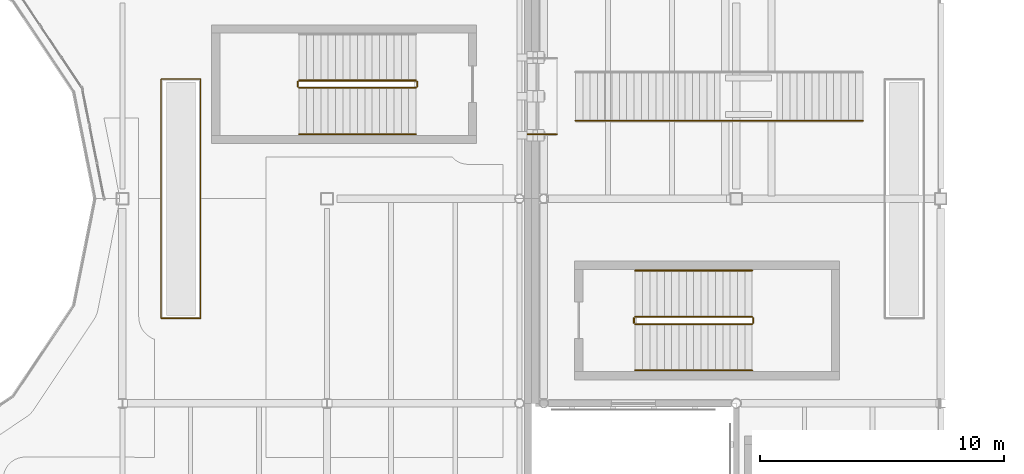
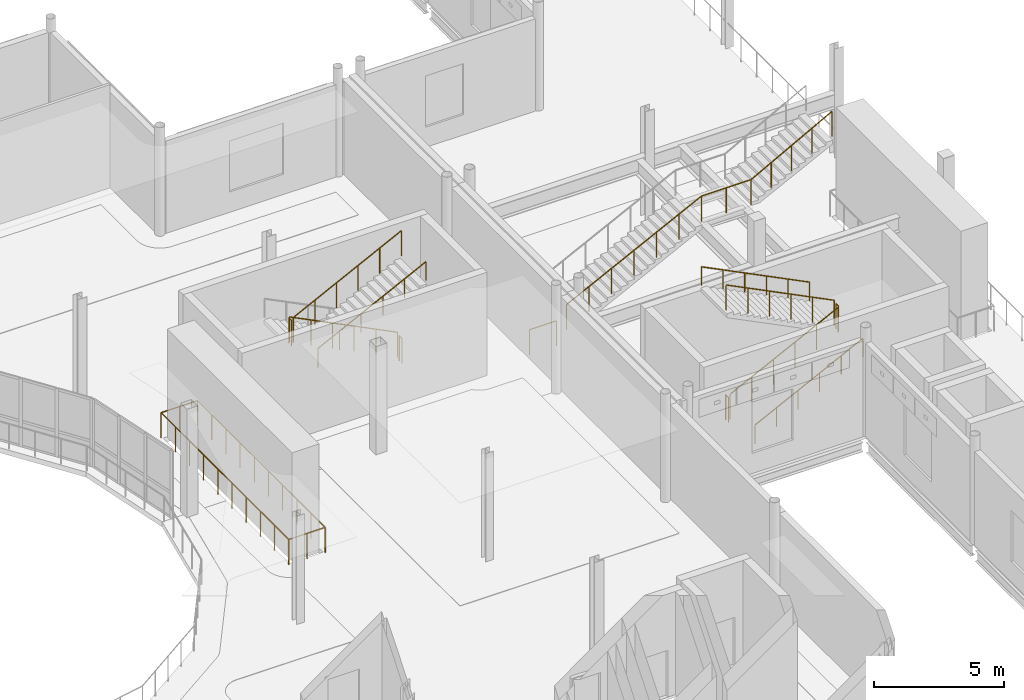
# One storey, part 89 of 104: 14 railings.
"""IFC4 building model written with IfcOpenShell, lengths in metres."""

import ifcopenshell
import ifcopenshell.guid

model = None  # the IFC model being written
_history = None  # IfcOwnerHistory: only IFC2X3 demands one
_inside = {}  # id of a spatial element -> (the spatial element, [elements in it])
_under = {}  # id of a project, library or spatial element -> (it, [spatial elements below it])
_declared = {}  # id of a project -> (the project, [libraries it declares])
_typed = {}  # id of a type object -> (the type object, [elements of that type])
_made_of = {}  # id of a material, layer set ... -> (it, [elements and type objects made of it])


def new_model(schema):
    """Start an empty IFC model of exactly this schema.

    Asked for "IFC4X3", IfcOpenShell would pick the latest addendum, in which some entities
    have other attributes; the version numbers below select the first issue.
    IFC2X3 requires an IfcOwnerHistory on every rooted entity: one is made here for all.
    """
    global model, _history
    if schema == "IFC4X3":
        model = ifcopenshell.file(schema_version=(4, 3, 0, 0))
    else:
        model = ifcopenshell.file(schema=schema)
    _inside.clear()
    _under.clear()
    _declared.clear()
    _typed.clear()
    _made_of.clear()
    _history = None
    if model.schema == "IFC2X3":
        org = make("IfcOrganization", Name="unknown")
        user = make(
            "IfcPersonAndOrganization",
            ThePerson=make("IfcPerson", FamilyName="unknown"),
            TheOrganization=org,
        )
        app = make(
            "IfcApplication",
            ApplicationDeveloper=org,
            Version="unknown",
            ApplicationFullName="unknown",
            ApplicationIdentifier="unknown",
        )
        _history = make(
            "IfcOwnerHistory",
            OwningUser=user,
            OwningApplication=app,
            ChangeAction="ADDED",
            CreationDate=0,
        )
    return model


def make(cls, **values):
    """One entity of the class cls with the attributes given. An attribute that is None is left unset."""
    return model.create_entity(
        cls, **{name: value for name, value in values.items() if value is not None}
    )


def rooted(cls, **values):
    """An entity with a GlobalId (a new one), such as an element, a storey or a relation."""
    return make(cls, GlobalId=ifcopenshell.guid.new(), OwnerHistory=_history, **values)


def si_unit(unit_type, name, prefix=None):
    """IfcSIUnit, for example si_unit("LENGTHUNIT", "METRE", prefix="MILLI")."""
    return make("IfcSIUnit", UnitType=unit_type, Prefix=prefix, Name=name)


def assignment(units):
    """IfcUnitAssignment: the units of a project."""
    return None if units is None else make("IfcUnitAssignment", Units=units)


def point(xyz):
    """IfcCartesianPoint."""
    return None if xyz is None else make("IfcCartesianPoint", Coordinates=xyz)


def direction(xyz):
    """IfcDirection."""
    return None if xyz is None else make("IfcDirection", DirectionRatios=xyz)


def frame(location, z_axis=None, x_axis=None):
    """IfcAxis2Placement3D, a coordinate frame: its origin and axes. An axis left out is left unset."""
    return make(
        "IfcAxis2Placement3D",
        Location=point(location),
        Axis=direction(z_axis),
        RefDirection=direction(x_axis),
    )


def frame_2d(location, x_axis=None):
    """IfcAxis2Placement2D, a coordinate frame in the plane: its origin and x axis."""
    return make(
        "IfcAxis2Placement2D", Location=point(location), RefDirection=direction(x_axis)
    )


def origin():
    """The frame at (0, 0, 0) with its axes left unset."""
    return frame((0.0, 0.0, 0.0))


def origin_2d():
    """The frame at (0, 0) in the plane with its x axis left unset."""
    return frame_2d((0.0, 0.0))


def place(relative_to, where):
    """IfcLocalPlacement: puts the frame where relative to a parent placement (None: the world)."""
    return make(
        "IfcLocalPlacement", PlacementRelTo=relative_to, RelativePlacement=where
    )


def context(
    kind, dimensions, precision=None, world=None, true_north=None, identifier=None
):
    """IfcGeometricRepresentationContext, for example the 3D "Model" context."""
    return make(
        "IfcGeometricRepresentationContext",
        ContextIdentifier=identifier,
        ContextType=kind,
        CoordinateSpaceDimension=dimensions,
        Precision=precision,
        WorldCoordinateSystem=world,
        TrueNorth=true_north,
    )


def subcontext(parent, identifier, kind, view, scale=None):
    """IfcGeometricRepresentationSubContext, for example "Body" below "Model"."""
    return make(
        "IfcGeometricRepresentationSubContext",
        ContextIdentifier=identifier,
        ContextType=kind,
        ParentContext=parent,
        TargetScale=scale,
        TargetView=view,
    )


def project(units=None, contexts=None):
    """IfcProject with its units and contexts."""
    return rooted(
        "IfcProject",
        Name="project",
        RepresentationContexts=contexts,
        UnitsInContext=assignment(units),
    )


def spatial(cls, under=None, at=None, **own):
    """A site, building, storey or space (cls), placed at a placement, below another one or the project."""
    s = rooted(cls, ObjectPlacement=at, **own)
    if under is not None:
        _under.setdefault(under.id(), (under, []))[1].append(s)
    return s


def profile(cls, at=None, kind="AREA", **sizes):
    """A parametric profile (cls). Its sizes go by their IFC names, for example OverallWidth=200.0."""
    return make(cls, ProfileType=kind, Position=at, **sizes)


def circle(**sizes):
    """IfcCircleProfileDef."""
    return profile("IfcCircleProfileDef", **sizes)


def extrude(swept, where, along, depth):
    """IfcExtrudedAreaSolid: the profile swept, set in the frame where, extruded along a direction by depth."""
    return make(
        "IfcExtrudedAreaSolid",
        SweptArea=swept,
        Position=where,
        ExtrudedDirection=direction(along),
        Depth=depth,
    )


def shape(context_of_items, identifier, shape_type, items):
    """IfcShapeRepresentation: the items that make up one representation, for example the "Body"."""
    return make(
        "IfcShapeRepresentation",
        ContextOfItems=context_of_items,
        RepresentationIdentifier=identifier,
        RepresentationType=shape_type,
        Items=items,
    )


def material(Name=None, Category=None):
    """IfcMaterial."""
    return make("IfcMaterial", Name=Name, Category=Category)


def made_of(thing, what):
    """Note that an element or type object is made of a material, layer set ...; save() writes the relation."""
    if what is not None:
        _made_of.setdefault(what.id(), (what, []))[1].append(thing)
    return thing


def type_object(cls, material=None, **own):
    """A type object (cls), such as IfcWallType, which elements share."""
    return made_of(rooted(cls, **own), material)


def element(
    cls,
    number,
    at=None,
    inside=None,
    cuts=None,
    type_object=None,
    material=None,
    context=None,
    identifier="Body",
    shape_type=None,
    held_by="IfcProductDefinitionShape",
    body=None,
    shapes=None,
    **own,
):
    """One element of the class cls, such as IfcWall. Its Tag is "e" and its number.

    at: its placement. inside: the storey or other place that contains it. cuts: it is an
    opening in that element (IfcRelVoidsElement). A single representation is given by context,
    identifier, shape_type and body (its items); several are given by shapes. held_by: the class
    of the entity that holds the representations. save() writes the other relations.
    """
    e = rooted(cls, Tag="e%d" % number, ObjectPlacement=at, **own)
    if body is not None:
        shapes = [shape(context, identifier, shape_type, body)]
    if shapes is not None:
        e.Representation = make(held_by, Representations=shapes)
    if inside is not None:
        _inside.setdefault(inside.id(), (inside, []))[1].append(e)
    if cuts is not None:
        rooted(
            "IfcRelVoidsElement", RelatingBuildingElement=cuts, RelatedOpeningElement=e
        )
    if type_object is not None:
        _typed.setdefault(type_object.id(), (type_object, []))[1].append(e)
    return made_of(e, material)


def aggregate(whole, parts):
    """IfcRelAggregates: a whole, such as a stair, and the parts it consists of."""
    return rooted("IfcRelAggregates", RelatingObject=whole, RelatedObjects=parts)


def save(model, path):
    """Write the relations noted so far, then the file.

    IfcRelAggregates (storeys below a building ...), IfcRelContainedInSpatialStructure (elements
    in a storey), IfcRelDefinesByType, IfcRelAssociatesMaterial and IfcRelDeclares: one each for
    every whole, place, type object, material and project.
    """
    for whole, parts in _under.values():
        aggregate(whole, parts)
    for where, things in _inside.values():
        rooted(
            "IfcRelContainedInSpatialStructure",
            RelatedElements=things,
            RelatingStructure=where,
        )
    for kind, things in _typed.values():
        rooted("IfcRelDefinesByType", RelatedObjects=things, RelatingType=kind)
    for what, things in _made_of.values():
        rooted("IfcRelAssociatesMaterial", RelatedObjects=things, RelatingMaterial=what)
    for by, libraries in _declared.values():
        rooted("IfcRelDeclares", RelatingContext=by, RelatedDefinitions=libraries)
    model.write(path)


model = new_model("IFC4")

# Units and contexts
model_context = context("Model", 3, precision=1e-05, world=origin(), true_north=direction((0.0, 1.0)))
body_context = subcontext(model_context, "Body", "Model", "MODEL_VIEW")
ifc_project = project(units=[si_unit("LENGTHUNIT", "METRE"), si_unit("AREAUNIT", "SQUARE_METRE"), si_unit("VOLUMEUNIT", "CUBIC_METRE"), si_unit("PLANEANGLEUNIT", "RADIAN"), si_unit("MASSUNIT", "GRAM", prefix="KILO"), si_unit("THERMODYNAMICTEMPERATUREUNIT", "KELVIN")], contexts=[model_context])

# Site, building, storey
site_placement = place(None, origin())
site = spatial("IfcSite", under=ifc_project, at=site_placement, CompositionType="ELEMENT")
building_placement = place(site_placement, origin())
building = spatial("IfcBuilding", under=site, at=building_placement, Name="Lustrewick Department Store", CompositionType="ELEMENT")
storey_placement = place(building_placement, frame((0.0, 0.0, 11.39990234375)))
storey = spatial("IfcBuildingStorey", under=building, at=storey_placement, Name="L03", CompositionType="ELEMENT", Elevation=11.39990234375)

# Railings
ifc_material_1 = material(Name="Laminated safety glass and bronze atrium balustrade", Category="glass")
railing_type_1 = type_object("IfcRailingType", Name="RL-BAL", PredefinedType="BALUSTRADE", material=ifc_material_1)
railing_1_placement = place(storey_placement, frame((60.60009765625, 70.39990234375, 0.150146484375)))
element("IfcRailing", 1, at=railing_1_placement, inside=storey, type_object=railing_type_1, Name="L03 Feature Stair AST03 Balustrade G1", PredefinedType="BALUSTRADE", context=body_context, shape_type="SweptSolid", body=[
    extrude(circle(Radius=0.02392578125, at=origin_2d()), frame((0.0, 0.0, 1.17578125), z_axis=(0.894427191, 0.0, 0.4472135955), x_axis=(0.0, 1.0, 0.0)), (0.0, 0.0, 1.0), 6.708251953125),
    extrude(circle(Radius=0.02392578125, at=origin_2d()), frame((6.0, 0.0, 4.17578125), z_axis=(1.0, 0.0, 0.0), x_axis=(0.0, 1.0, 0.0)), (0.0, 0.0, 1.0), 2.199951171875),
    extrude(circle(Radius=0.02392578125, at=origin_2d()), frame((8.199951171875, 0.0, 4.17578125), z_axis=(0.879288844789, 0.0, 0.476288911721), x_axis=(0.0, 1.0, 0.0)), (0.0, 0.0, 1.0), 4.093994140625),
    extrude(circle(Radius=0.02099609375, at=origin_2d()), origin(), (0.0, 0.0, 1.0), 1.15185546875),
    extrude(circle(Radius=0.02099609375, at=origin_2d()), frame((1.0, 0.0, 0.5)), (0.0, 0.0, 1.0), 1.15185546875),
    extrude(circle(Radius=0.02099609375, at=origin_2d()), frame((2.0, 0.0, 1.0)), (0.0, 0.0, 1.0), 1.15185546875),
    extrude(circle(Radius=0.02099609375, at=origin_2d()), frame((3.0, 0.0, 1.5)), (0.0, 0.0, 1.0), 1.15185546875),
    extrude(circle(Radius=0.02099609375, at=origin_2d()), frame((4.0, 0.0, 2.0)), (0.0, 0.0, 1.0), 1.15185546875),
    extrude(circle(Radius=0.02099609375, at=origin_2d()), frame((5.0, 0.0, 2.5)), (0.0, 0.0, 1.0), 1.15185546875),
    extrude(circle(Radius=0.02099609375, at=origin_2d()), frame((6.0, 0.0, 3.0)), (0.0, 0.0, 1.0), 1.15185546875),
    extrude(circle(Radius=0.02099609375, at=origin_2d()), frame((7.10009765625, 0.0, 3.0)), (0.0, 0.0, 1.0), 1.15185546875),
    extrude(circle(Radius=0.02099609375, at=origin_2d()), frame((8.199951171875, 0.0, 3.0)), (0.0, 0.0, 1.0), 1.15185546875),
    extrude(circle(Radius=0.02099609375, at=origin_2d()), frame((9.099853515625, 0.0, 3.487548828125)), (0.0, 0.0, 1.0), 1.15185546875),
    extrude(circle(Radius=0.02099609375, at=origin_2d()), frame((10.0, 0.0, 3.97509765625)), (0.0, 0.0, 1.0), 1.15185546875),
    extrude(circle(Radius=0.02099609375, at=origin_2d()), frame((10.89990234375, 0.0, 4.46240234375)), (0.0, 0.0, 1.0), 1.15185546875),
    extrude(circle(Radius=0.02099609375, at=origin_2d()), frame((11.7998046875, 0.0, 4.949951171875)), (0.0, 0.0, 1.0), 1.15185546875),
])
railing_2_placement = place(storey_placement, frame((43.590087890625, 62.2900390625, 0.0)))
element("IfcRailing", 2, at=railing_2_placement, inside=storey, type_object=railing_type_1, Name="L03 V1 Escalator Well Balustrade 0027", PredefinedType="BALUSTRADE", context=body_context, shape_type="SweptSolid", body=[
    extrude(circle(Radius=0.02392578125, at=origin_2d()), frame((0.0, 0.0, 1.17578125), z_axis=(0.0, 1.0, 0.0), x_axis=(-1.0, 0.0, 0.0)), (0.0, 0.0, 1.0), 9.820068359375),
    extrude(circle(Radius=0.02392578125, at=origin_2d()), frame((0.0, 9.820068359375, 1.17578125), z_axis=(1.0, 0.0, 0.0), x_axis=(0.0, 1.0, 0.0)), (0.0, 0.0, 1.0), 1.619873046875),
    extrude(circle(Radius=0.02392578125, at=origin_2d()), frame((1.619873046875, 9.820068359375, 1.17578125), z_axis=(0.0, -1.0, 0.0), x_axis=(1.0, 0.0, 0.0)), (0.0, 0.0, 1.0), 9.820068359375),
    extrude(circle(Radius=0.02392578125, at=origin_2d()), frame((1.619873046875, 0.0, 1.17578125), z_axis=(-1.0, 0.0, 0.0), x_axis=(0.0, -1.0, 0.0)), (0.0, 0.0, 1.0), 1.619873046875),
    extrude(circle(Radius=0.02099609375, at=origin_2d()), origin(), (0.0, 0.0, 1.0), 1.15185546875),
    extrude(circle(Radius=0.02099609375, at=origin_2d()), frame((0.0, 1.091064453125, 0.0)), (0.0, 0.0, 1.0), 1.15185546875),
    extrude(circle(Radius=0.02099609375, at=origin_2d()), frame((0.0, 2.18212890625, 0.0)), (0.0, 0.0, 1.0), 1.15185546875),
    extrude(circle(Radius=0.02099609375, at=origin_2d()), frame((0.0, 3.2734375, 0.0)), (0.0, 0.0, 1.0), 1.15185546875),
    extrude(circle(Radius=0.02099609375, at=origin_2d()), frame((0.0, 4.364501953125, 0.0)), (0.0, 0.0, 1.0), 1.15185546875),
    extrude(circle(Radius=0.02099609375, at=origin_2d()), frame((0.0, 5.45556640625, 0.0)), (0.0, 0.0, 1.0), 1.15185546875),
    extrude(circle(Radius=0.02099609375, at=origin_2d()), frame((0.0, 6.546630859375, 0.0)), (0.0, 0.0, 1.0), 1.15185546875),
    extrude(circle(Radius=0.02099609375, at=origin_2d()), frame((0.0, 7.637939453125, 0.0)), (0.0, 0.0, 1.0), 1.15185546875),
    extrude(circle(Radius=0.02099609375, at=origin_2d()), frame((0.0, 8.72900390625, 0.0)), (0.0, 0.0, 1.0), 1.15185546875),
    extrude(circle(Radius=0.02099609375, at=origin_2d()), frame((0.0, 9.820068359375, 0.0)), (0.0, 0.0, 1.0), 1.15185546875),
    extrude(circle(Radius=0.02099609375, at=origin_2d()), frame((0.81005859375, 9.820068359375, 0.0)), (0.0, 0.0, 1.0), 1.15185546875),
    extrude(circle(Radius=0.02099609375, at=origin_2d()), frame((1.619873046875, 9.820068359375, 0.0)), (0.0, 0.0, 1.0), 1.15185546875),
    extrude(circle(Radius=0.02099609375, at=origin_2d()), frame((1.619873046875, 8.72900390625, 0.0)), (0.0, 0.0, 1.0), 1.15185546875),
    extrude(circle(Radius=0.02099609375, at=origin_2d()), frame((1.619873046875, 7.637939453125, 0.0)), (0.0, 0.0, 1.0), 1.15185546875),
    extrude(circle(Radius=0.02099609375, at=origin_2d()), frame((1.619873046875, 6.546630859375, 0.0)), (0.0, 0.0, 1.0), 1.15185546875),
    extrude(circle(Radius=0.02099609375, at=origin_2d()), frame((1.619873046875, 5.45556640625, 0.0)), (0.0, 0.0, 1.0), 1.15185546875),
    extrude(circle(Radius=0.02099609375, at=origin_2d()), frame((1.619873046875, 4.364501953125, 0.0)), (0.0, 0.0, 1.0), 1.15185546875),
    extrude(circle(Radius=0.02099609375, at=origin_2d()), frame((1.619873046875, 3.2734375, 0.0)), (0.0, 0.0, 1.0), 1.15185546875),
    extrude(circle(Radius=0.02099609375, at=origin_2d()), frame((1.619873046875, 2.18212890625, 0.0)), (0.0, 0.0, 1.0), 1.15185546875),
    extrude(circle(Radius=0.02099609375, at=origin_2d()), frame((1.619873046875, 1.091064453125, 0.0)), (0.0, 0.0, 1.0), 1.15185546875),
    extrude(circle(Radius=0.02099609375, at=origin_2d()), frame((1.619873046875, 0.0, 0.0)), (0.0, 0.0, 1.0), 1.15185546875),
    extrude(circle(Radius=0.02099609375, at=origin_2d()), frame((0.81005859375, 0.0, 0.0)), (0.0, 0.0, 1.0), 1.15185546875),
])
railing_3_placement = place(storey_placement, frame((58.639892578125, 69.840087890625, 0.0)))
element("IfcRailing", 3, at=railing_3_placement, inside=storey, type_object=railing_type_1, Name="L03 Skybridge SB12 South Guard 0030", PredefinedType="BALUSTRADE", context=body_context, shape_type="SweptSolid", body=[
    extrude(circle(Radius=0.02392578125, at=origin_2d()), frame((0.0, 0.0, 1.17578125), z_axis=(1.0, 0.0, 0.0), x_axis=(0.0, 1.0, 0.0)), (0.0, 0.0, 1.0), 1.190185546875),
    extrude(circle(Radius=0.02099609375, at=origin_2d()), origin(), (0.0, 0.0, 1.0), 1.15185546875),
    extrude(circle(Radius=0.02099609375, at=origin_2d()), frame((1.190185546875, 0.0, 0.0)), (0.0, 0.0, 1.0), 1.15185546875),
])
ifc_material_2 = material(Name="Painted tubular steel stairwell guardrail", Category="steel")
railing_type_2 = type_object("IfcRailingType", Name="RL-STG", PredefinedType="GUARDRAIL", material=ifc_material_2)
railing_4_placement = place(storey_placement, frame((54.050048828125, 72.050048828125, 0.150146484375)))
element("IfcRailing", 4, at=railing_4_placement, inside=storey, type_object=railing_type_2, Name="L03 ST02 Stair Guard 1", PredefinedType="GUARDRAIL", context=body_context, shape_type="SweptSolid", body=[
    extrude(circle(Radius=0.02392578125, at=origin_2d()), frame((0.0, 0.0, 1.17578125), z_axis=(-0.894436289399, 0.0, 0.44719539824), x_axis=(0.0, -1.0, 0.0)), (0.0, 0.0, 1.0), 5.366455078125),
    extrude(circle(Radius=0.02099609375, at=origin_2d()), origin(), (0.0, 0.0, 1.0), 1.15185546875),
    extrude(circle(Radius=0.02099609375, at=origin_2d()), frame((-0.9599609375, 0.0, 0.47998046875)), (0.0, 0.0, 1.0), 1.15185546875),
    extrude(circle(Radius=0.02099609375, at=origin_2d()), frame((-1.919921875, 0.0, 0.9599609375)), (0.0, 0.0, 1.0), 1.15185546875),
    extrude(circle(Radius=0.02099609375, at=origin_2d()), frame((-2.880126953125, 0.0, 1.43994140625)), (0.0, 0.0, 1.0), 1.15185546875),
    extrude(circle(Radius=0.02099609375, at=origin_2d()), frame((-3.840087890625, 0.0, 1.919921875)), (0.0, 0.0, 1.0), 1.15185546875),
    extrude(circle(Radius=0.02099609375, at=origin_2d()), frame((-4.800048828125, 0.0, 2.39990234375)), (0.0, 0.0, 1.0), 1.15185546875),
])
railing_5_placement = place(storey_placement, frame((49.199951171875, 72.0, 2.550048828125)))
element("IfcRailing", 5, at=railing_5_placement, inside=storey, type_object=railing_type_2, Name="L03 ST02 Stair Guard 2", PredefinedType="GUARDRAIL", context=body_context, shape_type="SweptSolid", body=[
    extrude(circle(Radius=0.02392578125, at=origin_2d()), frame((0.0, 0.0, 1.17578125), z_axis=(0.0, -1.0, 0.0), x_axis=(1.0, 0.0, 0.0)), (0.0, 0.0, 1.0), 0.199951171875),
    extrude(circle(Radius=0.02099609375, at=origin_2d()), origin(), (0.0, 0.0, 1.0), 1.15185546875),
    extrude(circle(Radius=0.02099609375, at=origin_2d()), frame((0.0, -0.199951171875, 0.0)), (0.0, 0.0, 1.0), 1.15185546875),
])
railing_6_placement = place(storey_placement, frame((49.25, 71.75, 2.7001953125)))
element("IfcRailing", 6, at=railing_6_placement, inside=storey, type_object=railing_type_2, Name="L03 ST02 Stair Guard 3", PredefinedType="GUARDRAIL", context=body_context, shape_type="SweptSolid", body=[
    extrude(circle(Radius=0.02392578125, at=origin_2d()), frame((0.0, 0.0, 1.17578125), z_axis=(0.894436289399, 0.0, 0.44719539824), x_axis=(0.0, 1.0, 0.0)), (0.0, 0.0, 1.0), 5.366455078125),
    extrude(circle(Radius=0.02099609375, at=origin_2d()), origin(), (0.0, 0.0, 1.0), 1.15185546875),
    extrude(circle(Radius=0.02099609375, at=origin_2d()), frame((0.9599609375, 0.0, 0.47998046875)), (0.0, 0.0, 1.0), 1.15185546875),
    extrude(circle(Radius=0.02099609375, at=origin_2d()), frame((1.919921875, 0.0, 0.9599609375)), (0.0, 0.0, 1.0), 1.15185546875),
    extrude(circle(Radius=0.02099609375, at=origin_2d()), frame((2.880126953125, 0.0, 1.43994140625)), (0.0, 0.0, 1.0), 1.15185546875),
    extrude(circle(Radius=0.02099609375, at=origin_2d()), frame((3.840087890625, 0.0, 1.919921875)), (0.0, 0.0, 1.0), 1.15185546875),
    extrude(circle(Radius=0.02099609375, at=origin_2d()), frame((4.800048828125, 0.0, 2.39990234375)), (0.0, 0.0, 1.0), 1.15185546875),
])
railing_7_placement = place(storey_placement, frame((54.10009765625, 72.0, 0.0)))
element("IfcRailing", 7, at=railing_7_placement, inside=storey, type_object=railing_type_2, Name="L03 ST02 Stair Guard 4", PredefinedType="GUARDRAIL", context=body_context, shape_type="SweptSolid", body=[
    extrude(circle(Radius=0.02392578125, at=origin_2d()), frame((0.0, 0.0, 1.17578125), z_axis=(0.0, -1.0, 0.0), x_axis=(1.0, 0.0, 0.0)), (0.0, 0.0, 1.0), 0.199951171875),
    extrude(circle(Radius=0.02099609375, at=origin_2d()), origin(), (0.0, 0.0, 1.0), 1.15185546875),
    extrude(circle(Radius=0.02099609375, at=origin_2d()), frame((0.0, -0.199951171875, 0.0)), (0.0, 0.0, 1.0), 1.15185546875),
])
railing_8_placement = place(storey_placement, frame((63.050048828125, 62.050048828125, 0.150146484375)))
element("IfcRailing", 8, at=railing_8_placement, inside=storey, type_object=railing_type_2, Name="L03 ST04 Stair Guard 1", PredefinedType="GUARDRAIL", context=body_context, shape_type="SweptSolid", body=[
    extrude(circle(Radius=0.02392578125, at=origin_2d()), frame((0.0, 0.0, 1.17578125), z_axis=(0.894436289399, 0.0, 0.44719539824), x_axis=(0.0, 1.0, 0.0)), (0.0, 0.0, 1.0), 5.366455078125),
    extrude(circle(Radius=0.02099609375, at=origin_2d()), origin(), (0.0, 0.0, 1.0), 1.15185546875),
    extrude(circle(Radius=0.02099609375, at=origin_2d()), frame((0.9599609375, 0.0, 0.47998046875)), (0.0, 0.0, 1.0), 1.15185546875),
    extrude(circle(Radius=0.02099609375, at=origin_2d()), frame((1.919921875, 0.0, 0.9599609375)), (0.0, 0.0, 1.0), 1.15185546875),
    extrude(circle(Radius=0.02099609375, at=origin_2d()), frame((2.880126953125, 0.0, 1.43994140625)), (0.0, 0.0, 1.0), 1.15185546875),
    extrude(circle(Radius=0.02099609375, at=origin_2d()), frame((3.840087890625, 0.0, 1.919921875)), (0.0, 0.0, 1.0), 1.15185546875),
    extrude(circle(Radius=0.02099609375, at=origin_2d()), frame((4.800048828125, 0.0, 2.39990234375)), (0.0, 0.0, 1.0), 1.15185546875),
])
railing_9_placement = place(storey_placement, frame((67.89990234375, 62.10009765625, 2.550048828125)))
element("IfcRailing", 9, at=railing_9_placement, inside=storey, type_object=railing_type_2, Name="L03 ST04 Stair Guard 2", PredefinedType="GUARDRAIL", context=body_context, shape_type="SweptSolid", body=[
    extrude(circle(Radius=0.02392578125, at=origin_2d()), frame((0.0, 0.0, 1.17578125), z_axis=(0.0, 1.0, 0.0), x_axis=(-1.0, 0.0, 0.0)), (0.0, 0.0, 1.0), 0.199951171875),
    extrude(circle(Radius=0.02099609375, at=origin_2d()), origin(), (0.0, 0.0, 1.0), 1.15185546875),
    extrude(circle(Radius=0.02099609375, at=origin_2d()), frame((0.0, 0.199951171875, 0.0)), (0.0, 0.0, 1.0), 1.15185546875),
])
railing_10_placement = place(storey_placement, frame((67.85009765625, 62.35009765625, 2.7001953125)))
element("IfcRailing", 10, at=railing_10_placement, inside=storey, type_object=railing_type_2, Name="L03 ST04 Stair Guard 3", PredefinedType="GUARDRAIL", context=body_context, shape_type="SweptSolid", body=[
    extrude(circle(Radius=0.02392578125, at=origin_2d()), frame((0.0, 0.0, 1.17578125), z_axis=(-0.894436289399, 0.0, 0.44719539824), x_axis=(0.0, -1.0, 0.0)), (0.0, 0.0, 1.0), 5.366455078125),
    extrude(circle(Radius=0.02099609375, at=origin_2d()), origin(), (0.0, 0.0, 1.0), 1.15185546875),
    extrude(circle(Radius=0.02099609375, at=origin_2d()), frame((-0.9599609375, 0.0, 0.47998046875)), (0.0, 0.0, 1.0), 1.15185546875),
    extrude(circle(Radius=0.02099609375, at=origin_2d()), frame((-1.919921875, 0.0, 0.9599609375)), (0.0, 0.0, 1.0), 1.15185546875),
    extrude(circle(Radius=0.02099609375, at=origin_2d()), frame((-2.880126953125, 0.0, 1.43994140625)), (0.0, 0.0, 1.0), 1.15185546875),
    extrude(circle(Radius=0.02099609375, at=origin_2d()), frame((-3.840087890625, 0.0, 1.919921875)), (0.0, 0.0, 1.0), 1.15185546875),
    extrude(circle(Radius=0.02099609375, at=origin_2d()), frame((-4.800048828125, 0.0, 2.39990234375)), (0.0, 0.0, 1.0), 1.15185546875),
])
railing_11_placement = place(storey_placement, frame((63.0, 62.10009765625, 0.0)))
element("IfcRailing", 11, at=railing_11_placement, inside=storey, type_object=railing_type_2, Name="L03 ST04 Stair Guard 4", PredefinedType="GUARDRAIL", context=body_context, shape_type="SweptSolid", body=[
    extrude(circle(Radius=0.02392578125, at=origin_2d()), frame((0.0, 0.0, 1.17578125), z_axis=(0.0, 1.0, 0.0), x_axis=(-1.0, 0.0, 0.0)), (0.0, 0.0, 1.0), 0.199951171875),
    extrude(circle(Radius=0.02099609375, at=origin_2d()), origin(), (0.0, 0.0, 1.0), 1.15185546875),
    extrude(circle(Radius=0.02099609375, at=origin_2d()), frame((0.0, 0.199951171875, 0.0)), (0.0, 0.0, 1.0), 1.15185546875),
])
ifc_material_3 = material(Name="Brushed stainless steel wall handrail", Category="steel")
railing_type_3 = type_object("IfcRailingType", Name="RL-STH", PredefinedType="HANDRAIL", material=ifc_material_3)
for number, where, name in (
    (12, (49.25, 69.85009765625, 2.7001953125), "L03 ST02 Stair Handrail 2"),
    (13, (63.050048828125, 60.14990234375, 0.150146484375), "L03 ST04 Stair Handrail 1"),
):
    element("IfcRailing", number, at=place(storey_placement, frame(where)), inside=storey, type_object=railing_type_3, Name=name, PredefinedType="HANDRAIL", context=body_context, shape_type="SweptSolid", body=[
        extrude(circle(Radius=0.02392578125, at=origin_2d()), frame((0.0, 0.0, 0.8759765625), z_axis=(0.894436289399, 0.0, 0.44719539824), x_axis=(0.0, 1.0, 0.0)), (0.0, 0.0, 1.0), 5.366455078125),
        extrude(circle(Radius=0.02099609375, at=origin_2d()), origin(), (0.0, 0.0, 1.0), 0.851806640625),
        extrude(circle(Radius=0.02099609375, at=origin_2d()), frame((0.9599609375, 0.0, 0.47998046875)), (0.0, 0.0, 1.0), 0.851806640625),
        extrude(circle(Radius=0.02099609375, at=origin_2d()), frame((1.919921875, 0.0, 0.9599609375)), (0.0, 0.0, 1.0), 0.851806640625),
        extrude(circle(Radius=0.02099609375, at=origin_2d()), frame((2.880126953125, 0.0, 1.43994140625)), (0.0, 0.0, 1.0), 0.851806640625),
        extrude(circle(Radius=0.02099609375, at=origin_2d()), frame((3.840087890625, 0.0, 1.919921875)), (0.0, 0.0, 1.0), 0.851806640625),
        extrude(circle(Radius=0.02099609375, at=origin_2d()), frame((4.800048828125, 0.0, 2.39990234375)), (0.0, 0.0, 1.0), 0.851806640625),
    ])
railing_12_placement = place(storey_placement, frame((67.85009765625, 64.25, 2.7001953125)))
element("IfcRailing", 14, at=railing_12_placement, inside=storey, type_object=railing_type_3, Name="L03 ST04 Stair Handrail 2", PredefinedType="HANDRAIL", context=body_context, shape_type="SweptSolid", body=[
    extrude(circle(Radius=0.02392578125, at=origin_2d()), frame((0.0, 0.0, 0.8759765625), z_axis=(-0.894436289399, 0.0, 0.44719539824), x_axis=(0.0, -1.0, 0.0)), (0.0, 0.0, 1.0), 5.366455078125),
    extrude(circle(Radius=0.02099609375, at=origin_2d()), origin(), (0.0, 0.0, 1.0), 0.851806640625),
    extrude(circle(Radius=0.02099609375, at=origin_2d()), frame((-0.9599609375, 0.0, 0.47998046875)), (0.0, 0.0, 1.0), 0.851806640625),
    extrude(circle(Radius=0.02099609375, at=origin_2d()), frame((-1.919921875, 0.0, 0.9599609375)), (0.0, 0.0, 1.0), 0.851806640625),
    extrude(circle(Radius=0.02099609375, at=origin_2d()), frame((-2.880126953125, 0.0, 1.43994140625)), (0.0, 0.0, 1.0), 0.851806640625),
    extrude(circle(Radius=0.02099609375, at=origin_2d()), frame((-3.840087890625, 0.0, 1.919921875)), (0.0, 0.0, 1.0), 0.851806640625),
    extrude(circle(Radius=0.02099609375, at=origin_2d()), frame((-4.800048828125, 0.0, 2.39990234375)), (0.0, 0.0, 1.0), 0.851806640625),
])

save(model, "model.ifc")
